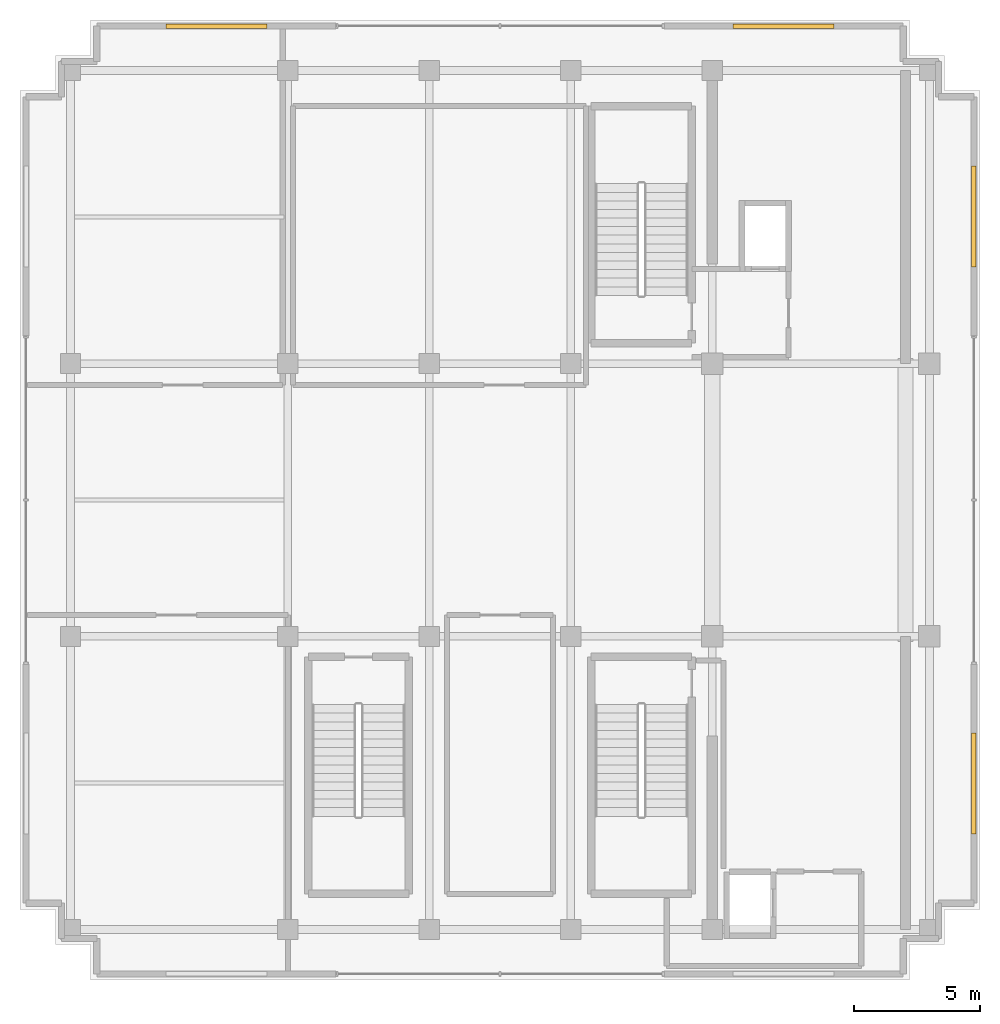
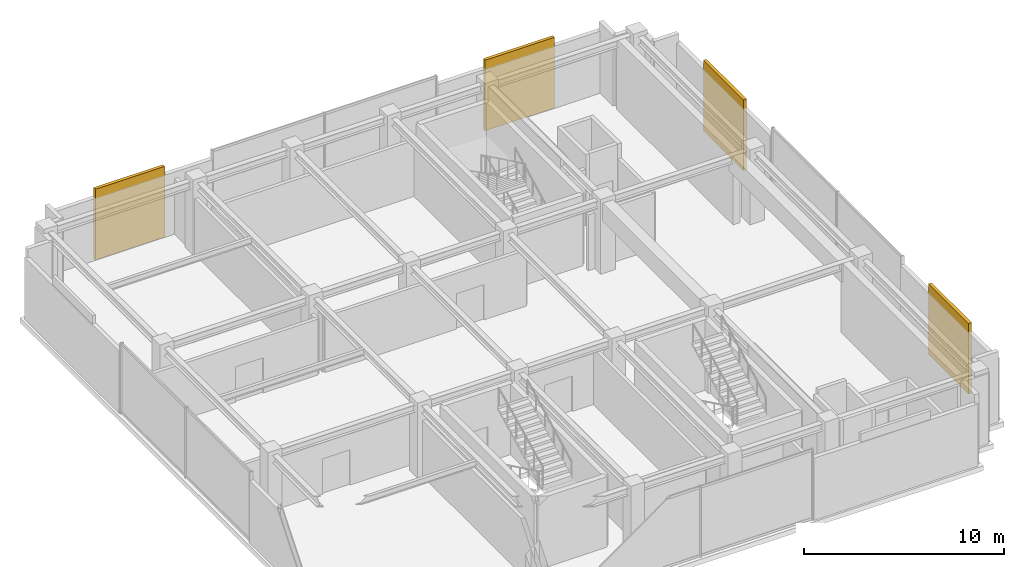
# One storey, part 18 of 18: 4 shading devices.
"""IFC4 building model written with IfcOpenShell, lengths in metres."""

from ifc_helpers import new_model, si_unit, direction, frame, origin, origin_2d, place, context, subcontext, project, spatial, rectangle, extrude, source, transform, mapped, material, layer, layer_set, type_object, element, save


model = new_model("IFC4")

# Units and contexts
model_context = context("Model", 3, precision=1e-05, world=origin(), true_north=direction((0.0, 1.0)))
body_context = subcontext(model_context, "Body", "Model", "MODEL_VIEW")
ifc_project = project(units=[si_unit("LENGTHUNIT", "METRE"), si_unit("AREAUNIT", "SQUARE_METRE"), si_unit("VOLUMEUNIT", "CUBIC_METRE"), si_unit("PLANEANGLEUNIT", "RADIAN"), si_unit("MASSUNIT", "GRAM", prefix="KILO")], contexts=[model_context])

# Site, building, storey
site_placement = place(None, origin())
site = spatial("IfcSite", under=ifc_project, at=site_placement, CompositionType="ELEMENT")
building_placement = place(site_placement, origin())
building = spatial("IfcBuilding", under=site, at=building_placement, Name="Nahalor Promenade Grand Hotel", CompositionType="ELEMENT")
storey_placement = place(building_placement, frame((0.0, 0.0, 361.64990234375)))
storey = spatial("IfcBuildingStorey", under=building, at=storey_placement, Name="L92", CompositionType="ELEMENT", Elevation=361.64990234375)

# Shading devices
ifc_material = material(Name="Anodised Bronze Aluminium EN AW-6063 T6", Category="aluminium")
ifc_layer = layer(ifc_material, 0.179931640625)
ifc_layer_set = layer_set([ifc_layer], Name="Anodised Bronze Aluminium EN AW-6063 T6")
shading_device_type = type_object("IfcShadingDeviceType", Name="Shade-PlantLouvre-Bronze", PredefinedType="USERDEFINED", material=ifc_layer_set)
shared_shape = source(origin(), body_context, "Body", "SweptSolid", [
    extrude(rectangle(XDim=4.0, YDim=0.179931640625, at=origin_2d()), origin(), (0.0, 0.0, 1.0), 4.300048828125),
])
for number, where, z_axis, x_axis, name in (
    (1, (-11.22998046875, 18.760009765625, 0.0), (0.0, 0.0, 1.0), (1.0, 0.0, 0.0), "LV-L92-NL"),
    (2, (11.22998046875, 18.760009765625, 0.0), (0.0, 0.0, 1.0), (1.0, 0.0, 0.0), "LV-L92-NR"),
    (3, (18.760009765625, -11.22998046875, 0.0), (0.0, 0.0, 1.0), (0.0, 1.0, 0.0), "LV-L92-EL"),
    (4, (18.760009765625, 11.22998046875, 0.0), (0.0, 0.0, 1.0), (0.0, 1.0, 0.0), "LV-L92-ER"),
):
    element("IfcShadingDevice", number, at=place(storey_placement, frame(where, z_axis=z_axis, x_axis=x_axis)), inside=storey, type_object=shading_device_type, Name=name, ObjectType="LOUVRE", PredefinedType="USERDEFINED", context=body_context, shape_type="MappedRepresentation", body=[
        mapped(shared_shape, transform((0.0, 0.0, 0.0), scale=1.0)),
    ])

save(model, "model.ifc")
